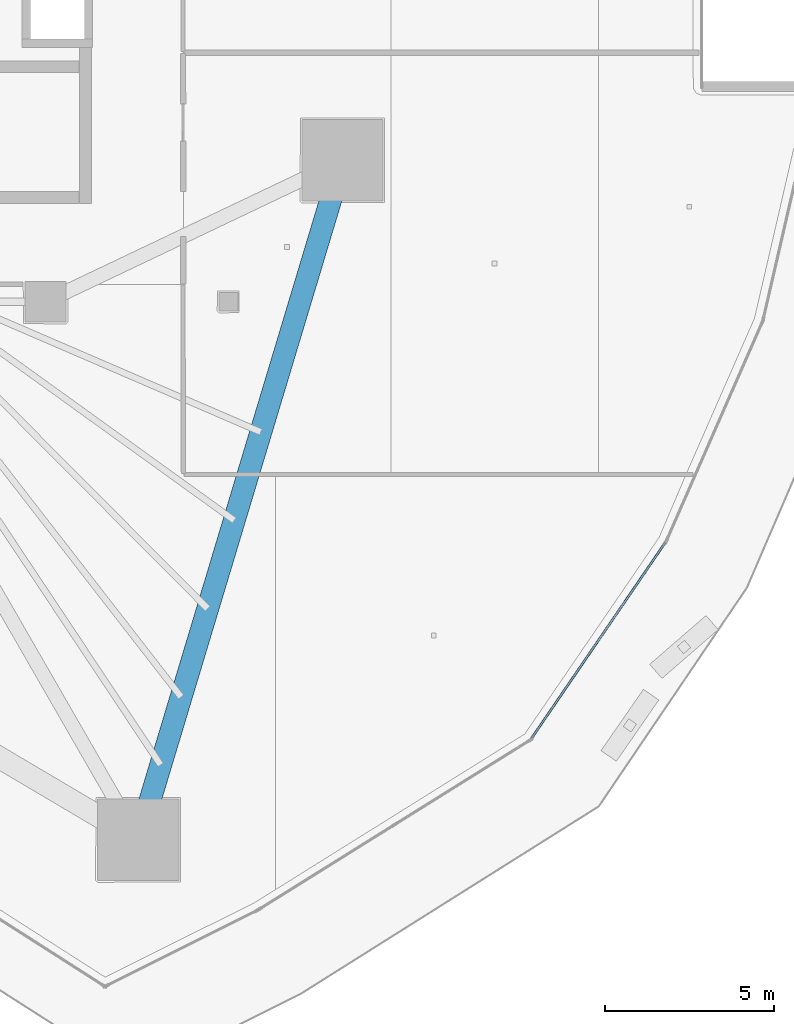
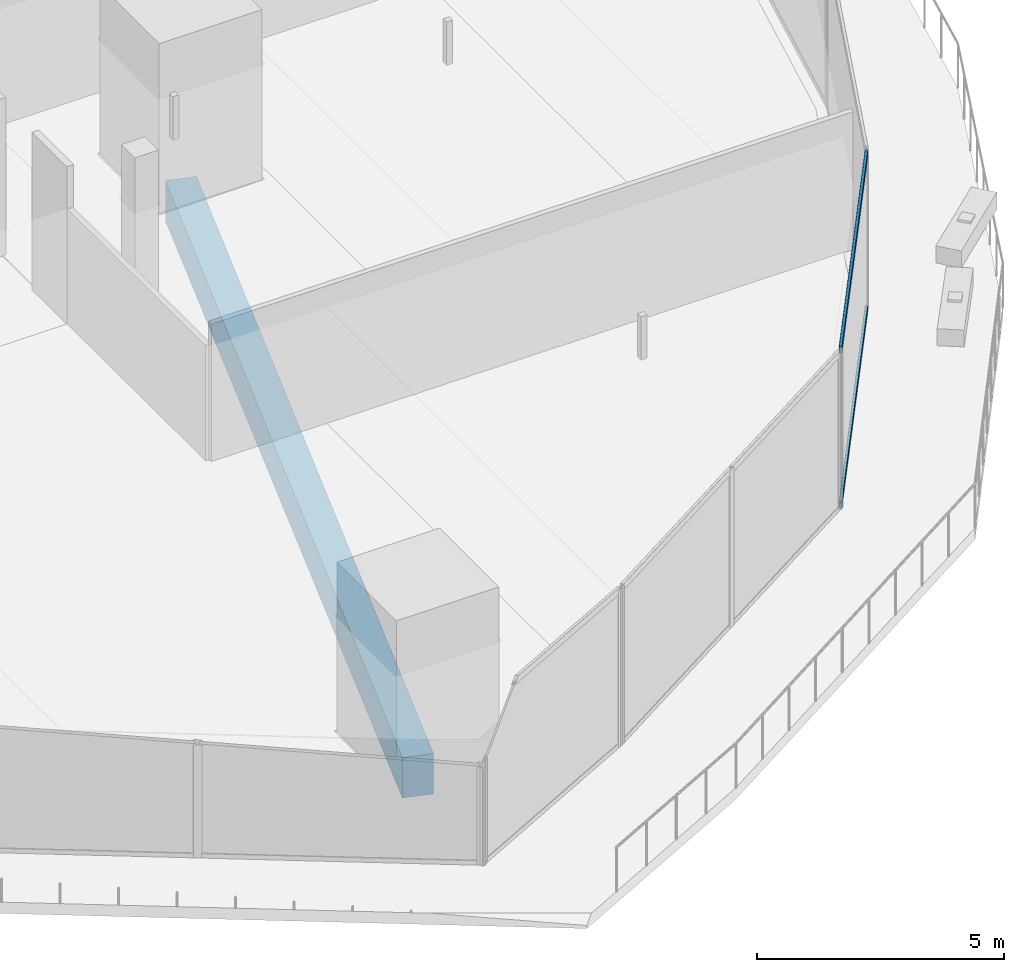
# One storey, part 10 of 45: 2 members, 1 beam, 1 element without a shape of its own.
"""IFC4 building model written with IfcOpenShell, lengths in metres."""

from ifc_helpers import new_model, si_unit, direction, frame, origin, origin_2d, place, context, subcontext, project, spatial, rectangle, hollow_rectangle, extrude, material, layer, layer_set, material_profile, profile_set, type_object, element, aggregate, save


model = new_model("IFC4")

# Units and contexts
model_context = context("Model", 3, precision=1e-05, world=origin(), true_north=direction((0.0, 1.0)))
body_context = subcontext(model_context, "Body", "Model", "MODEL_VIEW")
ifc_project = project(units=[si_unit("LENGTHUNIT", "METRE"), si_unit("AREAUNIT", "SQUARE_METRE"), si_unit("VOLUMEUNIT", "CUBIC_METRE"), si_unit("PLANEANGLEUNIT", "RADIAN"), si_unit("MASSUNIT", "GRAM", prefix="KILO")], contexts=[model_context])

# Site, building, storey
site_placement = place(None, origin())
site = spatial("IfcSite", under=ifc_project, at=site_placement, CompositionType="ELEMENT")
building_placement = place(site_placement, origin())
building = spatial("IfcBuilding", under=site, at=building_placement, Name="Qorvath Tower", CompositionType="ELEMENT")
storey_placement = place(building_placement, frame((0.0, 0.0, 95.39990234375)))
storey = spatial("IfcBuildingStorey", under=building, at=storey_placement, Name="L21", CompositionType="ELEMENT", Elevation=95.39990234375)

# Beam
ifc_material_1 = material(Name="Concrete C50/60", Category="concrete")
ifc_material_profile_1 = material_profile(ifc_material_1, rectangle(XDim=0.64990234375, YDim=1.0, at=origin_2d()), Name="RCB 1000x650")
ifc_profile_set_1 = profile_set([ifc_material_profile_1], Name="Concrete C50/60")
beam_type = type_object("IfcBeamType", Name="BM-RCB1", PredefinedType="SPANDREL", material=ifc_profile_set_1)
beam_placement = place(storey_placement, frame((-14.46435546875, -27.330810546875, -0.77978515625), z_axis=(0.288118908799, 0.957594639914, 0.0), x_axis=(-0.957594639914, 0.288118908799, 0.0)))
element("IfcBeam", 1, at=beam_placement, inside=storey, type_object=beam_type, Name="Perimeter Loggia Frame Beam MC3-MC4 L21", PredefinedType="SPANDREL", context=body_context, shape_type="SweptSolid", body=[
    extrude(rectangle(XDim=0.64990234375, YDim=1.0, at=origin_2d()), origin(), (0.0, 0.0, 1.0), 20.942626953125),
])

# Curtain wall, members
ifc_material_2 = material(Name="Anodised aluminium and triple low-E glass", Category="aluminium")
ifc_layer = layer(ifc_material_2, 0.179931640625)
ifc_layer_set = layer_set([ifc_layer], Name="CW-SYS-2")
curtain_wall_type = type_object("IfcCurtainWallType", Name="CW-SYS-2", PredefinedType="NOTDEFINED", material=ifc_layer_set)
curtain_wall_placement = place(storey_placement, origin())
curtain_wall = element("IfcCurtainWall", 2, at=curtain_wall_placement, inside=storey, type_object=curtain_wall_type, Name="Curtain Wall CW-2 CW-T-L21-5.1", PredefinedType="NOTDEFINED")
ifc_material_3 = material(Name="Anodised aluminium 6063-T6", Category="aluminium")
ifc_material_profile_2 = material_profile(ifc_material_3, hollow_rectangle(XDim=0.06494140625, YDim=0.159912109375, WallThickness=0.00341796875, InnerFilletRadius=0.00341796875, OuterFilletRadius=0.007080078125, at=origin_2d()), Name="CWT 160x65")
ifc_profile_set_2 = profile_set([ifc_material_profile_2], Name="Anodised aluminium 6063-T6")
member_type = type_object("IfcMemberType", Name="CWT-160", PredefinedType="USERDEFINED", material=ifc_profile_set_2)
member_1_placement = place(storey_placement, frame((-2.845458984375, -24.326904296875, 0.032470703125), z_axis=(0.56406593175, 0.825729752788, 0.0), x_axis=(-0.825729752788, 0.56406593175, 0.0)))
member_1 = element("IfcMember", 3, at=member_1_placement, type_object=member_type, Name="CW-2 transom 1.1", ObjectType="TRANSOM", PredefinedType="USERDEFINED", context=body_context, shape_type="SweptSolid", body=[
    extrude(hollow_rectangle(XDim=0.06494140625, YDim=0.159912109375, WallThickness=0.00341796875, InnerFilletRadius=0.00341796875, OuterFilletRadius=0.007080078125, at=origin_2d()), origin(), (0.0, 0.0, 1.0), 6.9697265625),
])
member_2_placement = place(storey_placement, frame((-2.845458984375, -24.326904296875, 3.86767578125), z_axis=(0.56406593175, 0.825729752788, 0.0), x_axis=(-0.825729752788, 0.56406593175, 0.0)))
member_2 = element("IfcMember", 4, at=member_2_placement, type_object=member_type, Name="CW-2 transom 1.2", ObjectType="TRANSOM", PredefinedType="USERDEFINED", context=body_context, shape_type="SweptSolid", body=[
    extrude(hollow_rectangle(XDim=0.06494140625, YDim=0.159912109375, WallThickness=0.00341796875, InnerFilletRadius=0.00341796875, OuterFilletRadius=0.007080078125, at=origin_2d()), origin(), (0.0, 0.0, 1.0), 6.9697265625),
])
aggregate(curtain_wall, [member_1, member_2])

save(model, "model.ifc")
